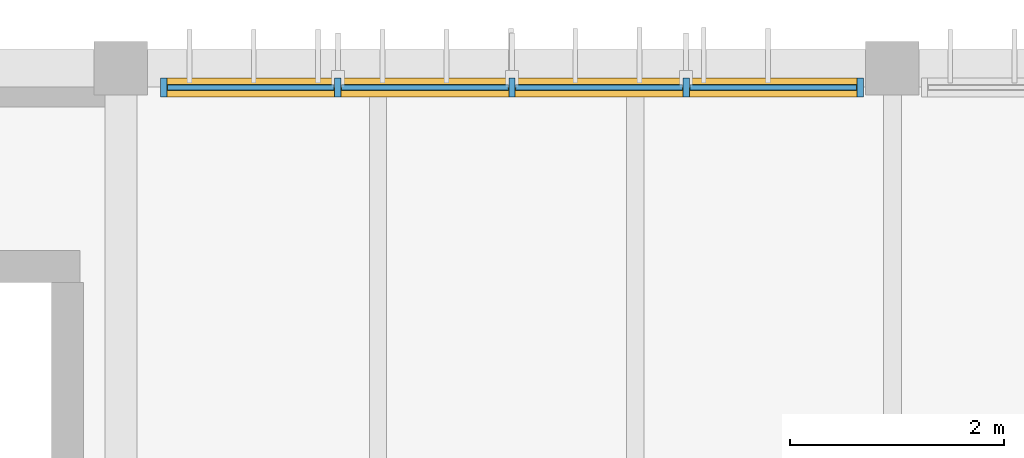
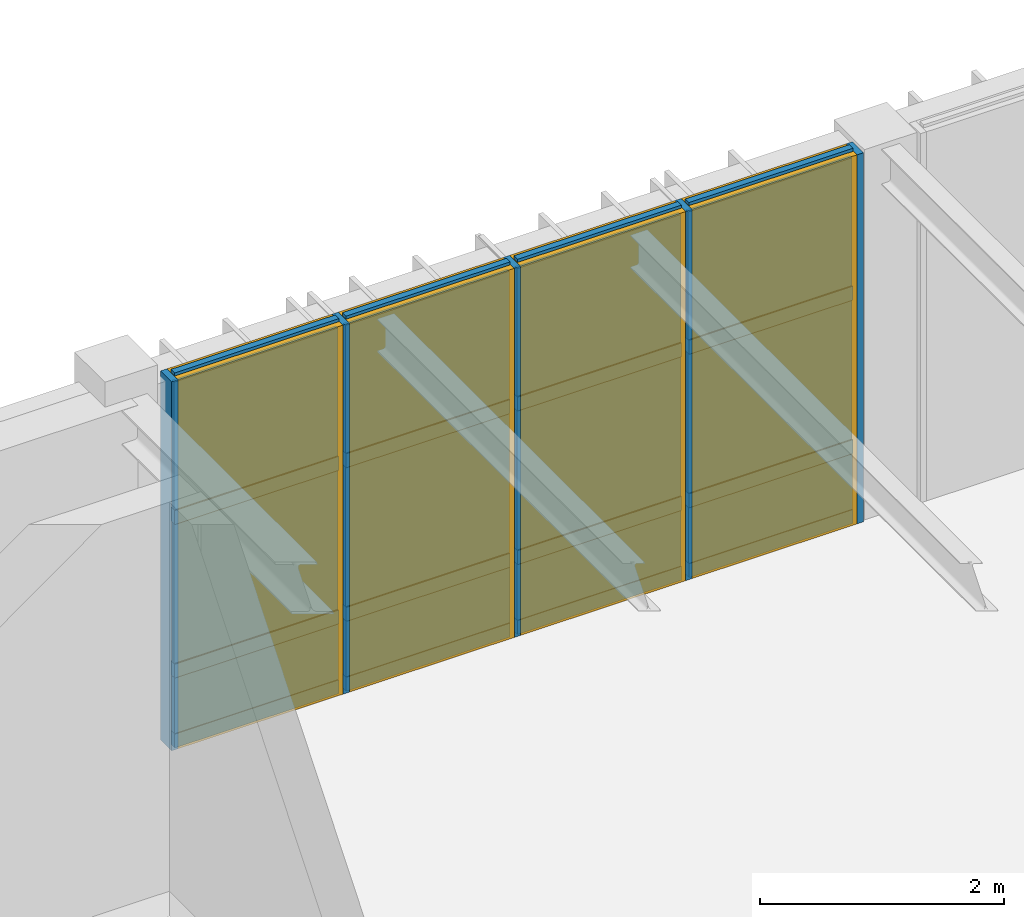
# One storey, part 34 of 44: 21 members, 12 plates, 1 curtain wall.
"""IFC4 building model written with IfcOpenShell, lengths in metres."""

from ifc_helpers import new_model, si_unit, direction, frame, frame_2d, origin, origin_2d, place, context, subcontext, project, spatial, rectangle, extrude, material, layer, layer_set, material_profile, profile_set, type_object, element, aggregate, save


model = new_model("IFC4")

# Units and contexts
model_context = context("Model", 3, precision=1e-05, world=origin(), true_north=direction((0.0, 1.0)))
body_context = subcontext(model_context, "Body", "Model", "MODEL_VIEW")
ifc_project = project(units=[si_unit("LENGTHUNIT", "METRE"), si_unit("AREAUNIT", "SQUARE_METRE"), si_unit("VOLUMEUNIT", "CUBIC_METRE"), si_unit("PLANEANGLEUNIT", "RADIAN"), si_unit("MASSUNIT", "GRAM", prefix="KILO")], contexts=[model_context])

# Member
ifc_material_1 = material(Name="Anodised Bronze Aluminium 6063-T6", Category="aluminium")
ifc_material_profile_1 = material_profile(ifc_material_1, rectangle(XDim=0.06005859375, YDim=0.179931640625, at=origin_2d()), Name="ALU MULLION 60x180")
ifc_profile_set_1 = profile_set([ifc_material_profile_1], Name="Anodised Bronze Aluminium 6063-T6")
member_type_1 = type_object("IfcMemberType", Name="Curtain-Wall Primary Mullion 60x180", PredefinedType="MULLION", material=ifc_profile_set_1)
site_placement = place(None, origin())
building_placement = place(site_placement, origin())
storey_placement = place(building_placement, frame((0.0, 0.0, 13.199951171875)))
member_1_placement = place(storey_placement, frame((103.0, 111.6201171875, 0.0), z_axis=(0.0, 0.0, 1.0), x_axis=(1.0, 0.0, 0.0)))
member_1 = element("IfcMember", 1, at=member_1_placement, type_object=member_type_1, Name="Mullion CWM-01 CW-V3-N1-L03-B1-M01", PredefinedType="MULLION", context=body_context, shape_type="SweptSolid", body=[
    extrude(rectangle(XDim=0.06005859375, YDim=0.179931640625, at=origin_2d()), origin(), (0.0, 0.0, 1.0), 3.699951171875),
])

member_2_placement = place(storey_placement, frame((104.625, 111.6201171875, 0.0), z_axis=(0.0, 0.0, 1.0), x_axis=(1.0, 0.0, 0.0)))
member_2 = element("IfcMember", 2, at=member_2_placement, type_object=member_type_1, Name="Mullion CWM-01 CW-V3-N1-L03-B1-M02", PredefinedType="MULLION", context=body_context, shape_type="SweptSolid", body=[
    extrude(rectangle(XDim=0.06005859375, YDim=0.179931640625, at=origin_2d()), origin(), (0.0, 0.0, 1.0), 3.699951171875),
])

member_3_placement = place(storey_placement, frame((106.25, 111.6201171875, 0.0), z_axis=(0.0, 0.0, 1.0), x_axis=(1.0, 0.0, 0.0)))
member_3 = element("IfcMember", 3, at=member_3_placement, type_object=member_type_1, Name="Mullion CWM-01 CW-V3-N1-L03-B1-M03", PredefinedType="MULLION", context=body_context, shape_type="SweptSolid", body=[
    extrude(rectangle(XDim=0.06005859375, YDim=0.179931640625, at=origin_2d()), origin(), (0.0, 0.0, 1.0), 3.699951171875),
])

member_4_placement = place(storey_placement, frame((107.875, 111.6201171875, 0.0), z_axis=(0.0, 0.0, 1.0), x_axis=(1.0, 0.0, 0.0)))
member_4 = element("IfcMember", 4, at=member_4_placement, type_object=member_type_1, Name="Mullion CWM-01 CW-V3-N1-L03-B1-M04", PredefinedType="MULLION", context=body_context, shape_type="SweptSolid", body=[
    extrude(rectangle(XDim=0.06005859375, YDim=0.179931640625, at=origin_2d()), origin(), (0.0, 0.0, 1.0), 3.699951171875),
])

member_5_placement = place(storey_placement, frame((109.5, 111.6201171875, 0.0), z_axis=(0.0, 0.0, 1.0), x_axis=(1.0, 0.0, 0.0)))
member_5 = element("IfcMember", 5, at=member_5_placement, type_object=member_type_1, Name="Mullion CWM-01 CW-V3-N1-L03-B1-M05", PredefinedType="MULLION", context=body_context, shape_type="SweptSolid", body=[
    extrude(rectangle(XDim=0.06005859375, YDim=0.179931640625, at=origin_2d()), origin(), (0.0, 0.0, 1.0), 3.699951171875),
])

ifc_material_profile_2 = material_profile(ifc_material_1, rectangle(XDim=0.06005859375, YDim=0.139892578125, at=origin_2d()), Name="ALU TRANSOM 60x140")
ifc_profile_set_2 = profile_set([ifc_material_profile_2], Name="Anodised Bronze Aluminium 6063-T6")
member_type_2 = type_object("IfcMemberType", Name="Curtain-Wall Transom 60x140", PredefinedType="USERDEFINED", material=ifc_profile_set_2)
member_6_placement = place(storey_placement, frame((103.034912109375, 111.6201171875, 0.0400390625), z_axis=(1.0, 0.0, 0.0), x_axis=(0.0, 1.0, 0.0)))
member_6 = element("IfcMember", 6, at=member_6_placement, type_object=member_type_2, Name="Transom CWT-01 CW-V3-N1-L03-B1-T01.1", ObjectType="TRANSOM", PredefinedType="USERDEFINED", context=body_context, shape_type="SweptSolid", body=[
    extrude(rectangle(XDim=0.06005859375, YDim=0.139892578125, at=origin_2d()), origin(), (0.0, 0.0, 1.0), 1.55517578125),
])

member_7_placement = place(storey_placement, frame((103.034912109375, 111.6201171875, 0.739990234375), z_axis=(1.0, 0.0, 0.0), x_axis=(0.0, 1.0, 0.0)))
member_7 = element("IfcMember", 7, at=member_7_placement, type_object=member_type_2, Name="Transom CWT-01 CW-V3-N1-L03-B1-T01.2", ObjectType="TRANSOM", PredefinedType="USERDEFINED", context=body_context, shape_type="SweptSolid", body=[
    extrude(rectangle(XDim=0.06005859375, YDim=0.139892578125, at=origin_2d()), origin(), (0.0, 0.0, 1.0), 1.55517578125),
])

member_8_placement = place(storey_placement, frame((103.034912109375, 111.6201171875, 2.279296875), z_axis=(1.0, 0.0, 0.0), x_axis=(0.0, 1.0, 0.0)))
member_8 = element("IfcMember", 8, at=member_8_placement, type_object=member_type_2, Name="Transom CWT-01 CW-V3-N1-L03-B1-T01.3", ObjectType="TRANSOM", PredefinedType="USERDEFINED", context=body_context, shape_type="SweptSolid", body=[
    extrude(rectangle(XDim=0.06005859375, YDim=0.139892578125, at=origin_2d()), origin(), (0.0, 0.0, 1.0), 1.55517578125),
])

member_9_placement = place(storey_placement, frame((103.034912109375, 111.6201171875, 3.66015625), z_axis=(1.0, 0.0, 0.0), x_axis=(0.0, 1.0, 0.0)))
member_9 = element("IfcMember", 9, at=member_9_placement, type_object=member_type_2, Name="Transom CWT-01 CW-V3-N1-L03-B1-T01.4", ObjectType="TRANSOM", PredefinedType="USERDEFINED", context=body_context, shape_type="SweptSolid", body=[
    extrude(rectangle(XDim=0.06005859375, YDim=0.139892578125, at=origin_2d()), origin(), (0.0, 0.0, 1.0), 1.55517578125),
])

member_10_placement = place(storey_placement, frame((104.659912109375, 111.6201171875, 0.0400390625), z_axis=(1.0, 0.0, 0.0), x_axis=(0.0, 1.0, 0.0)))
member_10 = element("IfcMember", 10, at=member_10_placement, type_object=member_type_2, Name="Transom CWT-01 CW-V3-N1-L03-B1-T02.1", ObjectType="TRANSOM", PredefinedType="USERDEFINED", context=body_context, shape_type="SweptSolid", body=[
    extrude(rectangle(XDim=0.06005859375, YDim=0.139892578125, at=origin_2d()), origin(), (0.0, 0.0, 1.0), 1.55517578125),
])

member_11_placement = place(storey_placement, frame((104.659912109375, 111.6201171875, 0.739990234375), z_axis=(1.0, 0.0, 0.0), x_axis=(0.0, 1.0, 0.0)))
member_11 = element("IfcMember", 11, at=member_11_placement, type_object=member_type_2, Name="Transom CWT-01 CW-V3-N1-L03-B1-T02.2", ObjectType="TRANSOM", PredefinedType="USERDEFINED", context=body_context, shape_type="SweptSolid", body=[
    extrude(rectangle(XDim=0.06005859375, YDim=0.139892578125, at=origin_2d()), origin(), (0.0, 0.0, 1.0), 1.55517578125),
])

member_12_placement = place(storey_placement, frame((104.659912109375, 111.6201171875, 2.279296875), z_axis=(1.0, 0.0, 0.0), x_axis=(0.0, 1.0, 0.0)))
member_12 = element("IfcMember", 12, at=member_12_placement, type_object=member_type_2, Name="Transom CWT-01 CW-V3-N1-L03-B1-T02.3", ObjectType="TRANSOM", PredefinedType="USERDEFINED", context=body_context, shape_type="SweptSolid", body=[
    extrude(rectangle(XDim=0.06005859375, YDim=0.139892578125, at=origin_2d()), origin(), (0.0, 0.0, 1.0), 1.55517578125),
])

member_13_placement = place(storey_placement, frame((104.659912109375, 111.6201171875, 3.66015625), z_axis=(1.0, 0.0, 0.0), x_axis=(0.0, 1.0, 0.0)))
member_13 = element("IfcMember", 13, at=member_13_placement, type_object=member_type_2, Name="Transom CWT-01 CW-V3-N1-L03-B1-T02.4", ObjectType="TRANSOM", PredefinedType="USERDEFINED", context=body_context, shape_type="SweptSolid", body=[
    extrude(rectangle(XDim=0.06005859375, YDim=0.139892578125, at=origin_2d()), origin(), (0.0, 0.0, 1.0), 1.55517578125),
])

member_14_placement = place(storey_placement, frame((106.284912109375, 111.6201171875, 0.0400390625), z_axis=(1.0, 0.0, 0.0), x_axis=(0.0, 1.0, 0.0)))
member_14 = element("IfcMember", 14, at=member_14_placement, type_object=member_type_2, Name="Transom CWT-01 CW-V3-N1-L03-B1-T03.1", ObjectType="TRANSOM", PredefinedType="USERDEFINED", context=body_context, shape_type="SweptSolid", body=[
    extrude(rectangle(XDim=0.06005859375, YDim=0.139892578125, at=origin_2d()), origin(), (0.0, 0.0, 1.0), 1.55517578125),
])

member_15_placement = place(storey_placement, frame((106.284912109375, 111.6201171875, 0.739990234375), z_axis=(1.0, 0.0, 0.0), x_axis=(0.0, 1.0, 0.0)))
member_15 = element("IfcMember", 15, at=member_15_placement, type_object=member_type_2, Name="Transom CWT-01 CW-V3-N1-L03-B1-T03.2", ObjectType="TRANSOM", PredefinedType="USERDEFINED", context=body_context, shape_type="SweptSolid", body=[
    extrude(rectangle(XDim=0.06005859375, YDim=0.139892578125, at=origin_2d()), origin(), (0.0, 0.0, 1.0), 1.55517578125),
])

member_16_placement = place(storey_placement, frame((106.284912109375, 111.6201171875, 2.279296875), z_axis=(1.0, 0.0, 0.0), x_axis=(0.0, 1.0, 0.0)))
member_16 = element("IfcMember", 16, at=member_16_placement, type_object=member_type_2, Name="Transom CWT-01 CW-V3-N1-L03-B1-T03.3", ObjectType="TRANSOM", PredefinedType="USERDEFINED", context=body_context, shape_type="SweptSolid", body=[
    extrude(rectangle(XDim=0.06005859375, YDim=0.139892578125, at=origin_2d()), origin(), (0.0, 0.0, 1.0), 1.55517578125),
])

member_17_placement = place(storey_placement, frame((106.284912109375, 111.6201171875, 3.66015625), z_axis=(1.0, 0.0, 0.0), x_axis=(0.0, 1.0, 0.0)))
member_17 = element("IfcMember", 17, at=member_17_placement, type_object=member_type_2, Name="Transom CWT-01 CW-V3-N1-L03-B1-T03.4", ObjectType="TRANSOM", PredefinedType="USERDEFINED", context=body_context, shape_type="SweptSolid", body=[
    extrude(rectangle(XDim=0.06005859375, YDim=0.139892578125, at=origin_2d()), origin(), (0.0, 0.0, 1.0), 1.55517578125),
])

member_18_placement = place(storey_placement, frame((107.909912109375, 111.6201171875, 0.0400390625), z_axis=(1.0, 0.0, 0.0), x_axis=(0.0, 1.0, 0.0)))
member_18 = element("IfcMember", 18, at=member_18_placement, type_object=member_type_2, Name="Transom CWT-01 CW-V3-N1-L03-B1-T04.1", ObjectType="TRANSOM", PredefinedType="USERDEFINED", context=body_context, shape_type="SweptSolid", body=[
    extrude(rectangle(XDim=0.06005859375, YDim=0.139892578125, at=origin_2d()), origin(), (0.0, 0.0, 1.0), 1.55517578125),
])

member_19_placement = place(storey_placement, frame((107.909912109375, 111.6201171875, 0.739990234375), z_axis=(1.0, 0.0, 0.0), x_axis=(0.0, 1.0, 0.0)))
member_19 = element("IfcMember", 19, at=member_19_placement, type_object=member_type_2, Name="Transom CWT-01 CW-V3-N1-L03-B1-T04.2", ObjectType="TRANSOM", PredefinedType="USERDEFINED", context=body_context, shape_type="SweptSolid", body=[
    extrude(rectangle(XDim=0.06005859375, YDim=0.139892578125, at=origin_2d()), origin(), (0.0, 0.0, 1.0), 1.55517578125),
])

member_20_placement = place(storey_placement, frame((107.909912109375, 111.6201171875, 2.279296875), z_axis=(1.0, 0.0, 0.0), x_axis=(0.0, 1.0, 0.0)))
member_20 = element("IfcMember", 20, at=member_20_placement, type_object=member_type_2, Name="Transom CWT-01 CW-V3-N1-L03-B1-T04.3", ObjectType="TRANSOM", PredefinedType="USERDEFINED", context=body_context, shape_type="SweptSolid", body=[
    extrude(rectangle(XDim=0.06005859375, YDim=0.139892578125, at=origin_2d()), origin(), (0.0, 0.0, 1.0), 1.55517578125),
])

member_21_placement = place(storey_placement, frame((107.909912109375, 111.6201171875, 3.66015625), z_axis=(1.0, 0.0, 0.0), x_axis=(0.0, 1.0, 0.0)))
member_21 = element("IfcMember", 21, at=member_21_placement, type_object=member_type_2, Name="Transom CWT-01 CW-V3-N1-L03-B1-T04.4", ObjectType="TRANSOM", PredefinedType="USERDEFINED", context=body_context, shape_type="SweptSolid", body=[
    extrude(rectangle(XDim=0.06005859375, YDim=0.139892578125, at=origin_2d()), origin(), (0.0, 0.0, 1.0), 1.55517578125),
])

# Plate
ifc_material_2 = material(Name="Insulated Bronze Aluminium Spandrel Panel", Category="aluminium")
ifc_layer_1 = layer(ifc_material_2, 0.050048828125, Name="Insulated Bronze Aluminium Spandrel Panel")
ifc_layer_set_1 = layer_set([ifc_layer_1], Name="Insulated Bronze Aluminium Spandrel Panel")
plate_type_1 = type_object("IfcPlateType", Name="Insulated Anodised Aluminium Spandrel Cassette 50", PredefinedType="CURTAIN_PANEL", material=ifc_layer_set_1)
plate_1_placement = place(storey_placement, frame((103.8125, 111.6201171875, 0.0703125), z_axis=(0.0, 0.0, 1.0), x_axis=(1.0, 0.0, 0.0)))
plate_1 = element("IfcPlate", 22, at=plate_1_placement, type_object=plate_type_1, Name="Curtain Panel CWP-03 CW-V3-N1-L03-B1-P01.1", PredefinedType="CURTAIN_PANEL", context=body_context, shape_type="SweptSolid", body=[
    extrude(rectangle(XDim=1.554931640625, YDim=0.050048828125, at=origin_2d()), origin(), (0.0, 0.0, 1.0), 0.639892578125),
])

plate_2_placement = place(storey_placement, frame((105.4375, 111.6201171875, 0.0703125), z_axis=(0.0, 0.0, 1.0), x_axis=(1.0, 0.0, 0.0)))
plate_2 = element("IfcPlate", 23, at=plate_2_placement, type_object=plate_type_1, Name="Curtain Panel CWP-03 CW-V3-N1-L03-B1-P02.1", PredefinedType="CURTAIN_PANEL", context=body_context, shape_type="SweptSolid", body=[
    extrude(rectangle(XDim=1.554931640625, YDim=0.050048828125, at=origin_2d()), origin(), (0.0, 0.0, 1.0), 0.639892578125),
])

plate_3_placement = place(storey_placement, frame((107.0625, 111.6201171875, 0.0703125), z_axis=(0.0, 0.0, 1.0), x_axis=(1.0, 0.0, 0.0)))
plate_3 = element("IfcPlate", 24, at=plate_3_placement, type_object=plate_type_1, Name="Curtain Panel CWP-03 CW-V3-N1-L03-B1-P03.1", PredefinedType="CURTAIN_PANEL", context=body_context, shape_type="SweptSolid", body=[
    extrude(rectangle(XDim=1.554931640625, YDim=0.050048828125, at=origin_2d()), origin(), (0.0, 0.0, 1.0), 0.639892578125),
])

plate_4_placement = place(storey_placement, frame((108.6875, 111.6201171875, 0.0703125), z_axis=(0.0, 0.0, 1.0), x_axis=(1.0, 0.0, 0.0)))
plate_4 = element("IfcPlate", 25, at=plate_4_placement, type_object=plate_type_1, Name="Curtain Panel CWP-03 CW-V3-N1-L03-B1-P04.1", PredefinedType="CURTAIN_PANEL", context=body_context, shape_type="SweptSolid", body=[
    extrude(rectangle(XDim=1.554931640625, YDim=0.050048828125, at=origin_2d()), origin(), (0.0, 0.0, 1.0), 0.639892578125),
])

ifc_material_3 = material(Name="Solar-Control Tempered Double Glazing", Category="glass")
ifc_layer_2 = layer(ifc_material_3, 0.0380859375, Name="Solar-Control Tempered Double Glazing")
ifc_layer_set_2 = layer_set([ifc_layer_2], Name="Solar-Control Tempered Double Glazing")
plate_type_2 = type_object("IfcPlateType", Name="Solar-Control Vision Glazing Unit 38", PredefinedType="CURTAIN_PANEL", material=ifc_layer_set_2)
plate_5_placement = place(storey_placement, frame((103.8125, 111.6201171875, 0.77001953125), z_axis=(0.0, 0.0, 1.0), x_axis=(1.0, 0.0, 0.0)))
plate_5 = element("IfcPlate", 26, at=plate_5_placement, type_object=plate_type_2, Name="Curtain Panel CWP-02 CW-V3-N1-L03-B1-P01.2", PredefinedType="CURTAIN_PANEL", context=body_context, shape_type="SweptSolid", body=[
    extrude(rectangle(XDim=1.554931640625, YDim=0.0380859375, at=origin_2d()), origin(), (0.0, 0.0, 1.0), 1.479248046875),
])

plate_6_placement = place(storey_placement, frame((103.8125, 111.6201171875, 2.309326171875), z_axis=(0.0, 0.0, 1.0), x_axis=(1.0, 0.0, 0.0)))
plate_6 = element("IfcPlate", 27, at=plate_6_placement, type_object=plate_type_2, Name="Curtain Panel CWP-02 CW-V3-N1-L03-B1-P01.3", PredefinedType="CURTAIN_PANEL", context=body_context, shape_type="SweptSolid", body=[
    extrude(rectangle(XDim=1.554931640625, YDim=0.0380859375, at=origin_2d()), origin(), (0.0, 0.0, 1.0), 1.32080078125),
])

plate_7_placement = place(storey_placement, frame((105.4375, 111.6201171875, 0.77001953125), z_axis=(0.0, 0.0, 1.0), x_axis=(1.0, 0.0, 0.0)))
plate_7 = element("IfcPlate", 28, at=plate_7_placement, type_object=plate_type_2, Name="Curtain Panel CWP-02 CW-V3-N1-L03-B1-P02.2", PredefinedType="CURTAIN_PANEL", context=body_context, shape_type="SweptSolid", body=[
    extrude(rectangle(XDim=1.554931640625, YDim=0.0380859375, at=origin_2d()), origin(), (0.0, 0.0, 1.0), 1.479248046875),
])

plate_8_placement = place(storey_placement, frame((105.4375, 111.6201171875, 2.309326171875), z_axis=(0.0, 0.0, 1.0), x_axis=(1.0, 0.0, 0.0)))
plate_8 = element("IfcPlate", 29, at=plate_8_placement, type_object=plate_type_2, Name="Curtain Panel CWP-02 CW-V3-N1-L03-B1-P02.3", PredefinedType="CURTAIN_PANEL", context=body_context, shape_type="SweptSolid", body=[
    extrude(rectangle(XDim=1.554931640625, YDim=0.0380859375, at=origin_2d()), origin(), (0.0, 0.0, 1.0), 1.32080078125),
])

plate_9_placement = place(storey_placement, frame((107.0625, 111.6201171875, 0.77001953125), z_axis=(0.0, 0.0, 1.0), x_axis=(1.0, 0.0, 0.0)))
plate_9 = element("IfcPlate", 30, at=plate_9_placement, type_object=plate_type_2, Name="Curtain Panel CWP-02 CW-V3-N1-L03-B1-P03.2", PredefinedType="CURTAIN_PANEL", context=body_context, shape_type="SweptSolid", body=[
    extrude(rectangle(XDim=1.554931640625, YDim=0.0380859375, at=origin_2d()), origin(), (0.0, 0.0, 1.0), 1.479248046875),
])

plate_10_placement = place(storey_placement, frame((107.0625, 111.6201171875, 2.309326171875), z_axis=(0.0, 0.0, 1.0), x_axis=(1.0, 0.0, 0.0)))
plate_10 = element("IfcPlate", 31, at=plate_10_placement, type_object=plate_type_2, Name="Curtain Panel CWP-02 CW-V3-N1-L03-B1-P03.3", PredefinedType="CURTAIN_PANEL", context=body_context, shape_type="SweptSolid", body=[
    extrude(rectangle(XDim=1.554931640625, YDim=0.0380859375, at=origin_2d()), origin(), (0.0, 0.0, 1.0), 1.32080078125),
])

plate_11_placement = place(storey_placement, frame((108.6875, 111.6201171875, 0.77001953125), z_axis=(0.0, 0.0, 1.0), x_axis=(1.0, 0.0, 0.0)))
plate_11 = element("IfcPlate", 32, at=plate_11_placement, type_object=plate_type_2, Name="Curtain Panel CWP-02 CW-V3-N1-L03-B1-P04.2", PredefinedType="CURTAIN_PANEL", context=body_context, shape_type="SweptSolid", body=[
    extrude(rectangle(XDim=1.554931640625, YDim=0.0380859375, at=origin_2d()), origin(), (0.0, 0.0, 1.0), 1.479248046875),
])

plate_12_placement = place(storey_placement, frame((108.6875, 111.6201171875, 2.309326171875), z_axis=(0.0, 0.0, 1.0), x_axis=(1.0, 0.0, 0.0)))
plate_12 = element("IfcPlate", 33, at=plate_12_placement, type_object=plate_type_2, Name="Curtain Panel CWP-02 CW-V3-N1-L03-B1-P04.3", PredefinedType="CURTAIN_PANEL", context=body_context, shape_type="SweptSolid", body=[
    extrude(rectangle(XDim=1.554931640625, YDim=0.0380859375, at=origin_2d()), origin(), (0.0, 0.0, 1.0), 1.32080078125),
])

# Site, building, storey
site = spatial("IfcSite", under=ifc_project, at=site_placement, CompositionType="ELEMENT")
building = spatial("IfcBuilding", under=site, at=building_placement, Name="Tazoul Stagehouse", CompositionType="ELEMENT")
storey = spatial("IfcBuildingStorey", under=building, at=storey_placement, Name="L03", CompositionType="ELEMENT", Elevation=13.199951171875)

# Curtain wall
curtain_wall_type = type_object("IfcCurtainWallType", Name="Rehearsal North Daylight Curtain Wall", PredefinedType="NOTDEFINED", material=ifc_material_1)
curtain_wall_placement = place(storey_placement, frame((103.0, 111.6201171875, 0.0), z_axis=(0.0, 0.0, 1.0), x_axis=(1.0, 0.0, 0.0)))
curtain_wall = element("IfcCurtainWall", 34, at=curtain_wall_placement, inside=storey, type_object=curtain_wall_type, Name="L03 Curtain Wall CW-04 (CW-V3-N1-L03-B1)", PredefinedType="NOTDEFINED", context=body_context, shape_type="SweptSolid", body=[
    extrude(rectangle(XDim=6.5, YDim=0.179931640625, at=frame_2d((3.25, 0.0))), origin(), (0.0, 0.0, 1.0), 3.699951171875),
])

aggregate(curtain_wall, [member_1, member_2, member_3, member_4, member_5, member_6, member_7, member_8, member_9, plate_1, plate_5, plate_6, member_10, member_11, member_12, member_13, plate_2, plate_7, plate_8, member_14, member_15, member_16, member_17, plate_3, plate_9, plate_10, member_18, member_19, member_20, member_21, plate_4, plate_11, plate_12])

save(model, "model.ifc")
